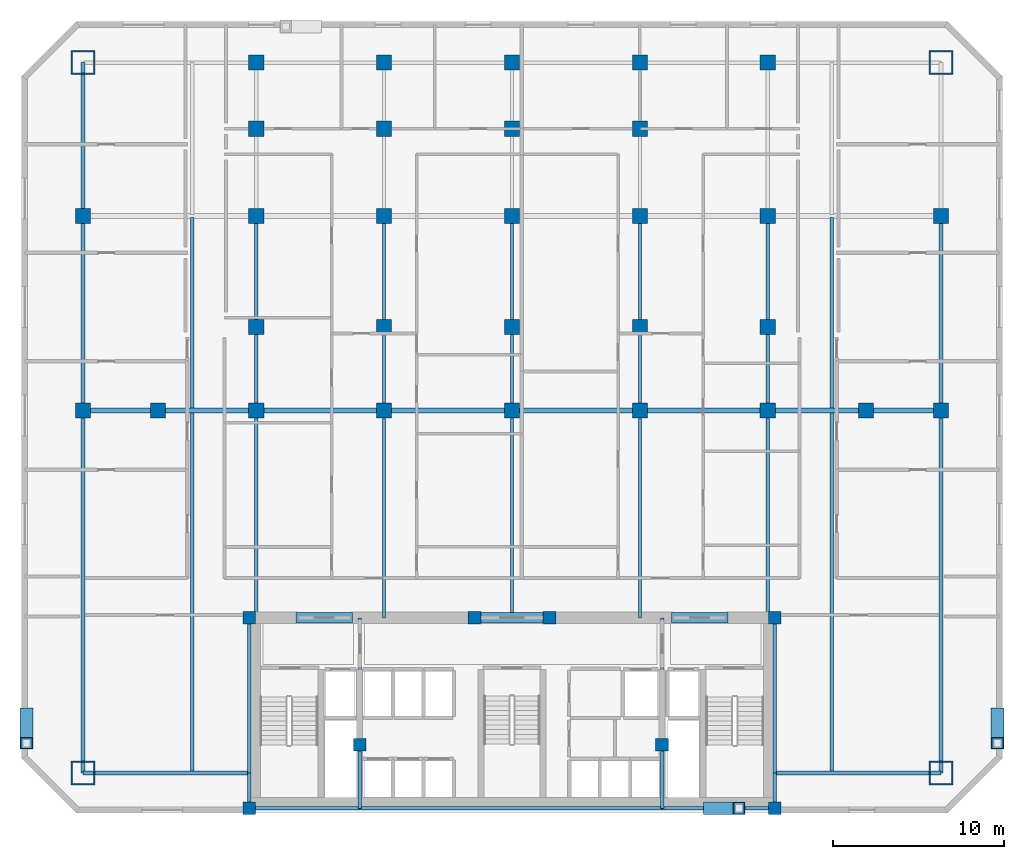
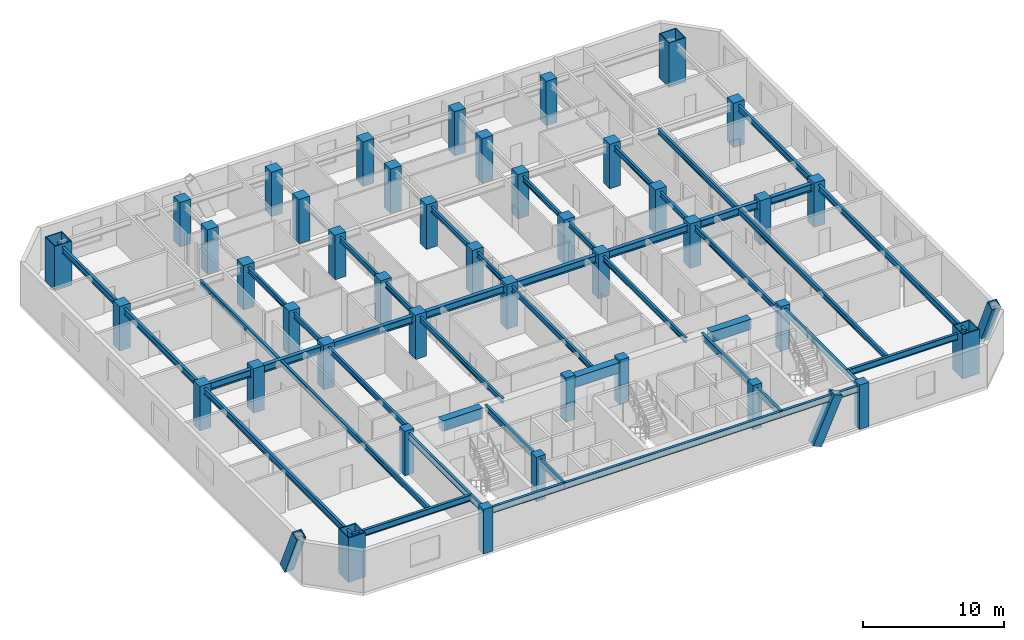
# One storey, part 1 of 9: 43 beams, 42 columns, 3 members.
"""IFC4 building model written with IfcOpenShell, lengths in metres."""

from ifc_helpers import new_model, si_unit, direction, frame, origin, origin_2d, place, context, subcontext, project, spatial, rectangle, hollow_rectangle, i_section, extrude, material, material_profile, profile_set, type_object, element, save


model = new_model("IFC4")

# Units and contexts
model_context = context("Model", 3, precision=1e-05, world=origin(), true_north=direction((0.0, 1.0)))
body_context = subcontext(model_context, "Body", "Model", "MODEL_VIEW")
ifc_project = project(units=[si_unit("LENGTHUNIT", "METRE"), si_unit("AREAUNIT", "SQUARE_METRE"), si_unit("VOLUMEUNIT", "CUBIC_METRE"), si_unit("PLANEANGLEUNIT", "RADIAN"), si_unit("MASSUNIT", "GRAM", prefix="KILO")], contexts=[model_context])

# Site, building, storey
site_placement = place(None, origin())
site = spatial("IfcSite", under=ifc_project, at=site_placement, CompositionType="ELEMENT")
building_placement = place(site_placement, origin())
building = spatial("IfcBuilding", under=site, at=building_placement, Name="Ventersveld Concourse Tower", CompositionType="ELEMENT")
storey_placement = place(building_placement, frame((0.0, 0.0, 84.89990234375)))
storey = spatial("IfcBuildingStorey", under=building, at=storey_placement, Name="L20", CompositionType="ELEMENT", Elevation=84.89990234375)

# Columns
ifc_material_1 = material(Name="Concrete C50/60", Category="concrete")
ifc_material_profile_1 = material_profile(ifc_material_1, rectangle(XDim=0.75, YDim=0.75, at=origin_2d()), Name="RC 750x750")
ifc_profile_set_1 = profile_set([ifc_material_profile_1], Name="Concrete C50/60")
column_type_1 = type_object("IfcColumnType", Name="COL-RC750", PredefinedType="COLUMN", material=ifc_profile_set_1)
for number, where, z_axis, x_axis, name in (
    (1, (13.35009765625, 0.280029296875, 0.0), (0.0, 0.0, 1.0), (1.0, 0.0, 0.0), "L20 Core Spine Column CC-SW"),
    (2, (44.14990234375, 0.280029296875, 0.0), (0.0, 0.0, 1.0), (1.0, 0.0, 0.0), "L20 Core Spine Column CC-SE"),
    (3, (13.35009765625, 11.449951171875, 0.0), (0.0, 0.0, 1.0), (1.0, 0.0, 0.0), "L20 Core Spine Column CC-NW"),
    (4, (44.14990234375, 11.449951171875, 0.0), (0.0, 0.0, 1.0), (1.0, 0.0, 0.0), "L20 Core Spine Column CC-NE"),
    (5, (19.820068359375, 4.0, 0.0), (0.0, 0.0, 1.0), (1.0, 0.0, 0.0), "L20 Core Spine Column CM-1"),
    (6, (37.550048828125, 4.0, 0.0), (0.0, 0.0, 1.0), (1.0, 0.0, 0.0), "L20 Core Spine Column CM-2"),
    (7, (26.550048828125, 11.449951171875, 0.0), (0.0, 0.0, 1.0), (1.0, 0.0, 0.0), "L20 Core Spine Column CM-3"),
    (8, (30.949951171875, 11.449951171875, 0.0), (0.0, 0.0, 1.0), (1.0, 0.0, 0.0), "L20 Core Spine Column CM-4"),
):
    element("IfcColumn", number, at=place(storey_placement, frame(where, z_axis=z_axis, x_axis=x_axis)), inside=storey, type_object=column_type_1, Name=name, PredefinedType="COLUMN", context=body_context, shape_type="SweptSolid", body=[
        extrude(rectangle(XDim=0.75, YDim=0.75, at=origin_2d()), origin(), (0.0, 0.0, 1.0), 3.85009765625),
    ])
ifc_material_2 = material(Name="Concrete C60/75", Category="concrete")
ifc_material_profile_2 = material_profile(ifc_material_2, rectangle(XDim=0.89990234375, YDim=0.89990234375, at=origin_2d()), Name="RC 900x900")
ifc_profile_set_2 = profile_set([ifc_material_profile_2], Name="Concrete C60/75")
column_type_2 = type_object("IfcColumnType", Name="COL-RC900", PredefinedType="COLUMN", material=ifc_profile_set_2)
for number, where, z_axis, x_axis, name in (
    (9, (3.60009765625, 23.60009765625, 0.0), (0.0, 0.0, 1.0), (1.0, 0.0, 0.0), "L20 Interior Gravity Column X=3.60 Y=23.60"),
    (10, (8.0, 23.60009765625, 0.0), (0.0, 0.0, 1.0), (1.0, 0.0, 0.0), "L20 Interior Gravity Column X=8.00 Y=23.60"),
    (11, (13.75, 23.60009765625, 0.0), (0.0, 0.0, 1.0), (1.0, 0.0, 0.0), "L20 Interior Gravity Column X=13.75 Y=23.60"),
    (12, (21.25, 23.60009765625, 0.0), (0.0, 0.0, 1.0), (1.0, 0.0, 0.0), "L20 Interior Gravity Column X=21.25 Y=23.60"),
    (13, (28.75, 23.60009765625, 0.0), (0.0, 0.0, 1.0), (1.0, 0.0, 0.0), "L20 Interior Gravity Column X=28.75 Y=23.60"),
    (14, (36.25, 23.60009765625, 0.0), (0.0, 0.0, 1.0), (1.0, 0.0, 0.0), "L20 Interior Gravity Column X=36.25 Y=23.60"),
    (15, (43.75, 23.60009765625, 0.0), (0.0, 0.0, 1.0), (1.0, 0.0, 0.0), "L20 Interior Gravity Column X=43.75 Y=23.60"),
    (16, (49.5, 23.60009765625, 0.0), (0.0, 0.0, 1.0), (1.0, 0.0, 0.0), "L20 Interior Gravity Column X=49.50 Y=23.60"),
    (17, (53.89990234375, 23.60009765625, 0.0), (0.0, 0.0, 1.0), (1.0, 0.0, 0.0), "L20 Interior Gravity Column X=53.90 Y=23.60"),
    (18, (13.75, 28.5, 0.0), (0.0, 0.0, 1.0), (1.0, 0.0, 0.0), "L20 Upper-North Gravity Column X=13.75 Y=28.50"),
    (19, (21.25, 28.5, 0.0), (0.0, 0.0, 1.0), (1.0, 0.0, 0.0), "L20 Upper-North Gravity Column X=21.25 Y=28.50"),
    (20, (28.75, 28.5, 0.0), (0.0, 0.0, 1.0), (1.0, 0.0, 0.0), "L20 Upper-North Gravity Column X=28.75 Y=28.50"),
    (21, (36.25, 28.5, 0.0), (0.0, 0.0, 1.0), (1.0, 0.0, 0.0), "L20 Upper-North Gravity Column X=36.25 Y=28.50"),
    (22, (43.75, 28.5, 0.0), (0.0, 0.0, 1.0), (1.0, 0.0, 0.0), "L20 Upper-North Gravity Column X=43.75 Y=28.50"),
    (23, (3.60009765625, 35.0, 0.0), (0.0, 0.0, 1.0), (1.0, 0.0, 0.0), "L20 Flank Column X=3.60 Y=35.00"),
    (24, (53.89990234375, 35.0, 0.0), (0.0, 0.0, 1.0), (1.0, 0.0, 0.0), "L20 Flank Column X=53.90 Y=35.00"),
    (25, (13.75, 44.0, 0.0), (0.0, 0.0, 1.0), (1.0, 0.0, 0.0), "L20 North Perimeter Column X=13.75 Y=44.00"),
    (26, (21.25, 44.0, 0.0), (0.0, 0.0, 1.0), (1.0, 0.0, 0.0), "L20 North Perimeter Column X=21.25 Y=44.00"),
    (27, (28.75, 44.0, 0.0), (0.0, 0.0, 1.0), (1.0, 0.0, 0.0), "L20 North Perimeter Column X=28.75 Y=44.00"),
    (28, (36.25, 44.0, 0.0), (0.0, 0.0, 1.0), (1.0, 0.0, 0.0), "L20 North Perimeter Column X=36.25 Y=44.00"),
    (29, (43.75, 44.0, 0.0), (0.0, 0.0, 1.0), (1.0, 0.0, 0.0), "L20 North Perimeter Column X=43.75 Y=44.00"),
    (30, (13.75, 40.1201171875, 0.0), (0.0, 0.0, 1.0), (1.0, 0.0, 0.0), "L20 North Brace Node Column X=13.75 Y=40.12"),
    (31, (21.25, 40.1201171875, 0.0), (0.0, 0.0, 1.0), (1.0, 0.0, 0.0), "L20 North Brace Node Column X=21.25 Y=40.12"),
    (32, (28.75, 40.1201171875, 0.0), (0.0, 0.0, 1.0), (1.0, 0.0, 0.0), "L20 North Brace Node Column X=28.75 Y=40.12"),
    (33, (36.25, 40.1201171875, 0.0), (0.0, 0.0, 1.0), (1.0, 0.0, 0.0), "L20 North Brace Node Column X=36.25 Y=40.12"),
    (34, (13.75, 35.0, 0.0), (0.0, 0.0, 1.0), (1.0, 0.0, 0.0), "L20 Mid-North Column X=13.75 Y=35.00"),
    (35, (21.25, 35.0, 0.0), (0.0, 0.0, 1.0), (1.0, 0.0, 0.0), "L20 Mid-North Column X=21.25 Y=35.00"),
    (36, (28.75, 35.0, 0.0), (0.0, 0.0, 1.0), (1.0, 0.0, 0.0), "L20 Mid-North Column X=28.75 Y=35.00"),
    (37, (36.25, 35.0, 0.0), (0.0, 0.0, 1.0), (1.0, 0.0, 0.0), "L20 Mid-North Column X=36.25 Y=35.00"),
    (38, (43.75, 35.0, 0.0), (0.0, 0.0, 1.0), (1.0, 0.0, 0.0), "L20 Mid-North Column X=43.75 Y=35.00"),
):
    element("IfcColumn", number, at=place(storey_placement, frame(where, z_axis=z_axis, x_axis=x_axis)), inside=storey, type_object=column_type_2, Name=name, PredefinedType="COLUMN", context=body_context, shape_type="SweptSolid", body=[
        extrude(rectangle(XDim=0.89990234375, YDim=0.89990234375, at=origin_2d()), origin(), (0.0, 0.0, 1.0), 3.85009765625),
    ])
ifc_material_3 = material(Name="Structural steel S460ML", Category="steel")
ifc_material_profile_3 = material_profile(ifc_material_3, hollow_rectangle(XDim=1.39990234375, YDim=1.39990234375, WallThickness=0.080078125, at=origin_2d()), Name="BOX 1400x1400x80")
ifc_profile_set_3 = profile_set([ifc_material_profile_3], Name="Structural steel S460ML")
column_type_3 = type_object("IfcColumnType", Name="MC-1400", PredefinedType="USERDEFINED", material=ifc_profile_set_3)
for number, where, z_axis, x_axis, name in (
    (39, (3.60009765625, 2.35009765625, 0.0), (0.0, 0.0, 1.0), (1.0, 0.0, 0.0), "L20 Corner Mega-Column MC-SW"),
    (40, (53.89990234375, 2.35009765625, 0.0), (0.0, 0.0, 1.0), (1.0, 0.0, 0.0), "L20 Corner Mega-Column MC-SE"),
    (41, (53.89990234375, 44.0, 0.0), (0.0, 0.0, 1.0), (1.0, 0.0, 0.0), "L20 Corner Mega-Column MC-NE"),
    (42, (3.60009765625, 44.0, 0.0), (0.0, 0.0, 1.0), (1.0, 0.0, 0.0), "L20 Corner Mega-Column MC-NW"),
):
    element("IfcColumn", number, at=place(storey_placement, frame(where, z_axis=z_axis, x_axis=x_axis)), inside=storey, type_object=column_type_3, Name=name, ObjectType="MEGA_COLUMN", PredefinedType="USERDEFINED", context=body_context, shape_type="SweptSolid", body=[
        extrude(hollow_rectangle(XDim=1.39990234375, YDim=1.39990234375, WallThickness=0.080078125, at=origin_2d()), origin(), (0.0, 0.0, 1.0), 3.85009765625),
    ])

# Beams
ifc_material_4 = material(Name="Structural steel S355J2", Category="steel")
ifc_material_profile_4 = material_profile(ifc_material_4, i_section(OverallWidth=0.19140625, OverallDepth=0.4599609375, WebThickness=0.010009765625, FlangeThickness=0.01611328125, FilletRadius=0.01025390625, at=origin_2d()), Name="UB 457x191x82")
ifc_profile_set_4 = profile_set([ifc_material_profile_4], Name="Structural steel S355J2")
beam_type_1 = type_object("IfcBeamType", Name="BM-UB457H", PredefinedType="BEAM", material=ifc_profile_set_4)
beam_1_placement = place(storey_placement, frame((10.0, 2.35009765625, 3.3701171875), z_axis=(0.0, 1.0, 0.0), x_axis=(-1.0, 0.0, 0.0)))
element("IfcBeam", 43, at=beam_1_placement, inside=storey, type_object=beam_type_1, Name="L20 N-S Composite Floor Beam South X=10.00", PredefinedType="BEAM", context=body_context, shape_type="SweptSolid", body=[
    extrude(i_section(OverallWidth=0.19140625, OverallDepth=0.4599609375, WebThickness=0.010009765625, FlangeThickness=0.01611328125, FilletRadius=0.01025390625, at=origin_2d()), origin(), (0.0, 0.0, 1.0), 21.15478515625),
])
beam_2_placement = place(storey_placement, frame((10.0, 23.695068359375, 3.3701171875), z_axis=(0.0, 1.0, 0.0), x_axis=(-1.0, 0.0, 0.0)))
element("IfcBeam", 44, at=beam_2_placement, inside=storey, type_object=beam_type_1, Name="L20 N-S Composite Floor Beam Mid X=10.00", PredefinedType="BEAM", context=body_context, shape_type="SweptSolid", body=[
    extrude(i_section(OverallWidth=0.19140625, OverallDepth=0.4599609375, WebThickness=0.010009765625, FlangeThickness=0.01611328125, FilletRadius=0.01025390625, at=origin_2d()), origin(), (0.0, 0.0, 1.0), 11.2099609375),
])
beam_3_placement = place(storey_placement, frame((13.75, 11.449951171875, 3.3701171875), z_axis=(0.0, 1.0, 0.0), x_axis=(-1.0, 0.0, 0.0)))
element("IfcBeam", 45, at=beam_3_placement, inside=storey, type_object=beam_type_1, Name="L20 N-S Composite Floor Beam South X=13.75", PredefinedType="BEAM", context=body_context, shape_type="SweptSolid", body=[
    extrude(i_section(OverallWidth=0.19140625, OverallDepth=0.4599609375, WebThickness=0.010009765625, FlangeThickness=0.01611328125, FilletRadius=0.01025390625, at=origin_2d()), origin(), (0.0, 0.0, 1.0), 12.150146484375),
])
beam_4_placement = place(storey_placement, frame((13.75, 23.60009765625, 3.3701171875), z_axis=(0.0, 1.0, 0.0), x_axis=(-1.0, 0.0, 0.0)))
element("IfcBeam", 46, at=beam_4_placement, inside=storey, type_object=beam_type_1, Name="L20 N-S Composite Floor Beam Mid X=13.75", PredefinedType="BEAM", context=body_context, shape_type="SweptSolid", body=[
    extrude(i_section(OverallWidth=0.19140625, OverallDepth=0.4599609375, WebThickness=0.010009765625, FlangeThickness=0.01611328125, FilletRadius=0.01025390625, at=origin_2d()), origin(), (0.0, 0.0, 1.0), 11.39990234375),
])
beam_5_placement = place(storey_placement, frame((21.25, 11.449951171875, 3.3701171875), z_axis=(0.0, 1.0, 0.0), x_axis=(-1.0, 0.0, 0.0)))
element("IfcBeam", 47, at=beam_5_placement, inside=storey, type_object=beam_type_1, Name="L20 N-S Composite Floor Beam South X=21.25", PredefinedType="BEAM", context=body_context, shape_type="SweptSolid", body=[
    extrude(i_section(OverallWidth=0.19140625, OverallDepth=0.4599609375, WebThickness=0.010009765625, FlangeThickness=0.01611328125, FilletRadius=0.01025390625, at=origin_2d()), origin(), (0.0, 0.0, 1.0), 12.150146484375),
])
beam_6_placement = place(storey_placement, frame((21.25, 23.60009765625, 3.3701171875), z_axis=(0.0, 1.0, 0.0), x_axis=(-1.0, 0.0, 0.0)))
element("IfcBeam", 48, at=beam_6_placement, inside=storey, type_object=beam_type_1, Name="L20 N-S Composite Floor Beam Mid X=21.25", PredefinedType="BEAM", context=body_context, shape_type="SweptSolid", body=[
    extrude(i_section(OverallWidth=0.19140625, OverallDepth=0.4599609375, WebThickness=0.010009765625, FlangeThickness=0.01611328125, FilletRadius=0.01025390625, at=origin_2d()), origin(), (0.0, 0.0, 1.0), 11.39990234375),
])
beam_7_placement = place(storey_placement, frame((28.75, 11.449951171875, 3.3701171875), z_axis=(0.0, 1.0, 0.0), x_axis=(-1.0, 0.0, 0.0)))
element("IfcBeam", 49, at=beam_7_placement, inside=storey, type_object=beam_type_1, Name="L20 N-S Composite Floor Beam South X=28.75", PredefinedType="BEAM", context=body_context, shape_type="SweptSolid", body=[
    extrude(i_section(OverallWidth=0.19140625, OverallDepth=0.4599609375, WebThickness=0.010009765625, FlangeThickness=0.01611328125, FilletRadius=0.01025390625, at=origin_2d()), origin(), (0.0, 0.0, 1.0), 12.150146484375),
])
beam_8_placement = place(storey_placement, frame((28.75, 23.60009765625, 3.3701171875), z_axis=(0.0, 1.0, 0.0), x_axis=(-1.0, 0.0, 0.0)))
element("IfcBeam", 50, at=beam_8_placement, inside=storey, type_object=beam_type_1, Name="L20 N-S Composite Floor Beam Mid X=28.75", PredefinedType="BEAM", context=body_context, shape_type="SweptSolid", body=[
    extrude(i_section(OverallWidth=0.19140625, OverallDepth=0.4599609375, WebThickness=0.010009765625, FlangeThickness=0.01611328125, FilletRadius=0.01025390625, at=origin_2d()), origin(), (0.0, 0.0, 1.0), 11.39990234375),
])
beam_9_placement = place(storey_placement, frame((36.25, 11.449951171875, 3.3701171875), z_axis=(0.0, 1.0, 0.0), x_axis=(-1.0, 0.0, 0.0)))
element("IfcBeam", 51, at=beam_9_placement, inside=storey, type_object=beam_type_1, Name="L20 N-S Composite Floor Beam South X=36.25", PredefinedType="BEAM", context=body_context, shape_type="SweptSolid", body=[
    extrude(i_section(OverallWidth=0.19140625, OverallDepth=0.4599609375, WebThickness=0.010009765625, FlangeThickness=0.01611328125, FilletRadius=0.01025390625, at=origin_2d()), origin(), (0.0, 0.0, 1.0), 12.150146484375),
])
beam_10_placement = place(storey_placement, frame((36.25, 23.60009765625, 3.3701171875), z_axis=(0.0, 1.0, 0.0), x_axis=(-1.0, 0.0, 0.0)))
element("IfcBeam", 52, at=beam_10_placement, inside=storey, type_object=beam_type_1, Name="L20 N-S Composite Floor Beam Mid X=36.25", PredefinedType="BEAM", context=body_context, shape_type="SweptSolid", body=[
    extrude(i_section(OverallWidth=0.19140625, OverallDepth=0.4599609375, WebThickness=0.010009765625, FlangeThickness=0.01611328125, FilletRadius=0.01025390625, at=origin_2d()), origin(), (0.0, 0.0, 1.0), 11.39990234375),
])
beam_11_placement = place(storey_placement, frame((43.75, 11.449951171875, 3.3701171875), z_axis=(0.0, 1.0, 0.0), x_axis=(-1.0, 0.0, 0.0)))
element("IfcBeam", 53, at=beam_11_placement, inside=storey, type_object=beam_type_1, Name="L20 N-S Composite Floor Beam South X=43.75", PredefinedType="BEAM", context=body_context, shape_type="SweptSolid", body=[
    extrude(i_section(OverallWidth=0.19140625, OverallDepth=0.4599609375, WebThickness=0.010009765625, FlangeThickness=0.01611328125, FilletRadius=0.01025390625, at=origin_2d()), origin(), (0.0, 0.0, 1.0), 12.150146484375),
])
beam_12_placement = place(storey_placement, frame((43.75, 23.60009765625, 3.3701171875), z_axis=(0.0, 1.0, 0.0), x_axis=(-1.0, 0.0, 0.0)))
element("IfcBeam", 54, at=beam_12_placement, inside=storey, type_object=beam_type_1, Name="L20 N-S Composite Floor Beam Mid X=43.75", PredefinedType="BEAM", context=body_context, shape_type="SweptSolid", body=[
    extrude(i_section(OverallWidth=0.19140625, OverallDepth=0.4599609375, WebThickness=0.010009765625, FlangeThickness=0.01611328125, FilletRadius=0.01025390625, at=origin_2d()), origin(), (0.0, 0.0, 1.0), 11.39990234375),
])
beam_13_placement = place(storey_placement, frame((47.5, 2.35009765625, 3.3701171875), z_axis=(0.0, 1.0, 0.0), x_axis=(-1.0, 0.0, 0.0)))
element("IfcBeam", 55, at=beam_13_placement, inside=storey, type_object=beam_type_1, Name="L20 N-S Composite Floor Beam South X=47.50", PredefinedType="BEAM", context=body_context, shape_type="SweptSolid", body=[
    extrude(i_section(OverallWidth=0.19140625, OverallDepth=0.4599609375, WebThickness=0.010009765625, FlangeThickness=0.01611328125, FilletRadius=0.01025390625, at=origin_2d()), origin(), (0.0, 0.0, 1.0), 21.15478515625),
])
beam_14_placement = place(storey_placement, frame((47.5, 23.695068359375, 3.3701171875), z_axis=(0.0, 1.0, 0.0), x_axis=(-1.0, 0.0, 0.0)))
element("IfcBeam", 56, at=beam_14_placement, inside=storey, type_object=beam_type_1, Name="L20 N-S Composite Floor Beam Mid X=47.50", PredefinedType="BEAM", context=body_context, shape_type="SweptSolid", body=[
    extrude(i_section(OverallWidth=0.19140625, OverallDepth=0.4599609375, WebThickness=0.010009765625, FlangeThickness=0.01611328125, FilletRadius=0.01025390625, at=origin_2d()), origin(), (0.0, 0.0, 1.0), 11.2099609375),
])
ifc_material_profile_5 = material_profile(ifc_material_2, rectangle(XDim=0.60009765625, YDim=0.89990234375, at=origin_2d()), Name="RC 600x900")
ifc_profile_set_5 = profile_set([ifc_material_profile_5], Name="Concrete C60/75")
beam_type_2 = type_object("IfcBeamType", Name="CB-RC600x900L", PredefinedType="LINTEL", material=ifc_profile_set_5)
beam_15_placement = place(storey_placement, frame((16.10009765625, 11.449951171875, 3.150146484375), z_axis=(1.0, 0.0, 0.0), x_axis=(0.0, 1.0, 0.0)))
element("IfcBeam", 57, at=beam_15_placement, inside=storey, type_object=beam_type_2, Name="L20 Core Coupling Lintel Beam 1", PredefinedType="LINTEL", context=body_context, shape_type="SweptSolid", body=[
    extrude(rectangle(XDim=0.60009765625, YDim=0.89990234375, at=origin_2d()), origin(), (0.0, 0.0, 1.0), 3.2998046875),
])
beam_16_placement = place(storey_placement, frame((26.5, 11.449951171875, 3.150146484375), z_axis=(1.0, 0.0, 0.0), x_axis=(0.0, 1.0, 0.0)))
element("IfcBeam", 58, at=beam_16_placement, inside=storey, type_object=beam_type_2, Name="L20 Core Coupling Lintel Beam 2", PredefinedType="LINTEL", context=body_context, shape_type="SweptSolid", body=[
    extrude(rectangle(XDim=0.60009765625, YDim=0.89990234375, at=origin_2d()), origin(), (0.0, 0.0, 1.0), 4.5),
])
beam_17_placement = place(storey_placement, frame((38.10009765625, 11.449951171875, 3.150146484375), z_axis=(1.0, 0.0, 0.0), x_axis=(0.0, 1.0, 0.0)))
element("IfcBeam", 59, at=beam_17_placement, inside=storey, type_object=beam_type_2, Name="L20 Core Coupling Lintel Beam 3", PredefinedType="LINTEL", context=body_context, shape_type="SweptSolid", body=[
    extrude(rectangle(XDim=0.60009765625, YDim=0.89990234375, at=origin_2d()), origin(), (0.0, 0.0, 1.0), 3.2998046875),
])
ifc_material_profile_6 = material_profile(ifc_material_4, i_section(OverallWidth=0.2119140625, OverallDepth=0.54443359375, WebThickness=0.0126953125, FlangeThickness=0.021240234375, FilletRadius=0.0126953125, at=origin_2d()), Name="UB 533x210x122")
ifc_profile_set_6 = profile_set([ifc_material_profile_6], Name="Structural steel S355J2")
beam_type_3 = type_object("IfcBeamType", Name="GRD-UB533H", PredefinedType="T_BEAM", material=ifc_profile_set_6)
beam_18_placement = place(storey_placement, frame((13.35009765625, 0.280029296875, 3.327880859375), z_axis=(0.0, 1.0, 0.0), x_axis=(-1.0, 0.0, 0.0)))
element("IfcBeam", 60, at=beam_18_placement, inside=storey, type_object=beam_type_3, Name="L20 Core West Tie Beam S", PredefinedType="T_BEAM", context=body_context, shape_type="SweptSolid", body=[
    extrude(i_section(OverallWidth=0.2119140625, OverallDepth=0.54443359375, WebThickness=0.0126953125, FlangeThickness=0.021240234375, FilletRadius=0.0126953125, at=origin_2d()), origin(), (0.0, 0.0, 1.0), 2.070068359375),
])
beam_19_placement = place(storey_placement, frame((13.35009765625, 2.35009765625, 3.327880859375), z_axis=(0.0, 1.0, 0.0), x_axis=(-1.0, 0.0, 0.0)))
element("IfcBeam", 61, at=beam_19_placement, inside=storey, type_object=beam_type_3, Name="L20 Core West Tie Beam N", PredefinedType="T_BEAM", context=body_context, shape_type="SweptSolid", body=[
    extrude(i_section(OverallWidth=0.2119140625, OverallDepth=0.54443359375, WebThickness=0.0126953125, FlangeThickness=0.021240234375, FilletRadius=0.0126953125, at=origin_2d()), origin(), (0.0, 0.0, 1.0), 9.099853515625),
])
beam_20_placement = place(storey_placement, frame((44.14990234375, 0.280029296875, 3.327880859375), z_axis=(0.0, 1.0, 0.0), x_axis=(-1.0, 0.0, 0.0)))
element("IfcBeam", 62, at=beam_20_placement, inside=storey, type_object=beam_type_3, Name="L20 Core East Tie Beam S", PredefinedType="T_BEAM", context=body_context, shape_type="SweptSolid", body=[
    extrude(i_section(OverallWidth=0.2119140625, OverallDepth=0.54443359375, WebThickness=0.0126953125, FlangeThickness=0.021240234375, FilletRadius=0.0126953125, at=origin_2d()), origin(), (0.0, 0.0, 1.0), 2.070068359375),
])
beam_21_placement = place(storey_placement, frame((44.14990234375, 2.35009765625, 3.327880859375), z_axis=(0.0, 1.0, 0.0), x_axis=(-1.0, 0.0, 0.0)))
element("IfcBeam", 63, at=beam_21_placement, inside=storey, type_object=beam_type_3, Name="L20 Core East Tie Beam N", PredefinedType="T_BEAM", context=body_context, shape_type="SweptSolid", body=[
    extrude(i_section(OverallWidth=0.2119140625, OverallDepth=0.54443359375, WebThickness=0.0126953125, FlangeThickness=0.021240234375, FilletRadius=0.0126953125, at=origin_2d()), origin(), (0.0, 0.0, 1.0), 9.099853515625),
])
beam_22_placement = place(storey_placement, frame((13.35009765625, 0.280029296875, 3.327880859375), z_axis=(1.0, 0.0, 0.0), x_axis=(0.0, 1.0, 0.0)))
element("IfcBeam", 64, at=beam_22_placement, inside=storey, type_object=beam_type_3, Name="L20 Core South Tie Beam W", PredefinedType="T_BEAM", context=body_context, shape_type="SweptSolid", body=[
    extrude(i_section(OverallWidth=0.2119140625, OverallDepth=0.54443359375, WebThickness=0.0126953125, FlangeThickness=0.021240234375, FilletRadius=0.0126953125, at=origin_2d()), origin(), (0.0, 0.0, 1.0), 6.469970703125),
])
beam_23_placement = place(storey_placement, frame((19.820068359375, 0.280029296875, 3.327880859375), z_axis=(1.0, 0.0, 0.0), x_axis=(0.0, 1.0, 0.0)))
element("IfcBeam", 65, at=beam_23_placement, inside=storey, type_object=beam_type_3, Name="L20 Core South Tie Beam C", PredefinedType="T_BEAM", context=body_context, shape_type="SweptSolid", body=[
    extrude(i_section(OverallWidth=0.2119140625, OverallDepth=0.54443359375, WebThickness=0.0126953125, FlangeThickness=0.021240234375, FilletRadius=0.0126953125, at=origin_2d()), origin(), (0.0, 0.0, 1.0), 17.72998046875),
])
beam_24_placement = place(storey_placement, frame((37.550048828125, 0.280029296875, 3.327880859375), z_axis=(1.0, 0.0, 0.0), x_axis=(0.0, 1.0, 0.0)))
element("IfcBeam", 66, at=beam_24_placement, inside=storey, type_object=beam_type_3, Name="L20 Core South Tie Beam E", PredefinedType="T_BEAM", context=body_context, shape_type="SweptSolid", body=[
    extrude(i_section(OverallWidth=0.2119140625, OverallDepth=0.54443359375, WebThickness=0.0126953125, FlangeThickness=0.021240234375, FilletRadius=0.0126953125, at=origin_2d()), origin(), (0.0, 0.0, 1.0), 6.599853515625),
])
beam_25_placement = place(storey_placement, frame((19.820068359375, 0.280029296875, 3.327880859375), z_axis=(0.0, 1.0, 0.0), x_axis=(-1.0, 0.0, 0.0)))
element("IfcBeam", 67, at=beam_25_placement, inside=storey, type_object=beam_type_3, Name="L20 Core Spine N-S Tie Beam W1", PredefinedType="T_BEAM", context=body_context, shape_type="SweptSolid", body=[
    extrude(i_section(OverallWidth=0.2119140625, OverallDepth=0.54443359375, WebThickness=0.0126953125, FlangeThickness=0.021240234375, FilletRadius=0.0126953125, at=origin_2d()), origin(), (0.0, 0.0, 1.0), 3.719970703125),
])
beam_26_placement = place(storey_placement, frame((19.820068359375, 4.0, 3.327880859375), z_axis=(0.0, 1.0, 0.0), x_axis=(-1.0, 0.0, 0.0)))
element("IfcBeam", 68, at=beam_26_placement, inside=storey, type_object=beam_type_3, Name="L20 Core Spine N-S Tie Beam W2", PredefinedType="T_BEAM", context=body_context, shape_type="SweptSolid", body=[
    extrude(i_section(OverallWidth=0.2119140625, OverallDepth=0.54443359375, WebThickness=0.0126953125, FlangeThickness=0.021240234375, FilletRadius=0.0126953125, at=origin_2d()), origin(), (0.0, 0.0, 1.0), 7.449951171875),
])
beam_27_placement = place(storey_placement, frame((37.550048828125, 0.280029296875, 3.327880859375), z_axis=(0.0, 1.0, 0.0), x_axis=(-1.0, 0.0, 0.0)))
element("IfcBeam", 69, at=beam_27_placement, inside=storey, type_object=beam_type_3, Name="L20 Core Spine N-S Tie Beam E1", PredefinedType="T_BEAM", context=body_context, shape_type="SweptSolid", body=[
    extrude(i_section(OverallWidth=0.2119140625, OverallDepth=0.54443359375, WebThickness=0.0126953125, FlangeThickness=0.021240234375, FilletRadius=0.0126953125, at=origin_2d()), origin(), (0.0, 0.0, 1.0), 3.719970703125),
])
beam_28_placement = place(storey_placement, frame((37.550048828125, 4.0, 3.327880859375), z_axis=(0.0, 1.0, 0.0), x_axis=(-1.0, 0.0, 0.0)))
element("IfcBeam", 70, at=beam_28_placement, inside=storey, type_object=beam_type_3, Name="L20 Core Spine N-S Tie Beam E2", PredefinedType="T_BEAM", context=body_context, shape_type="SweptSolid", body=[
    extrude(i_section(OverallWidth=0.2119140625, OverallDepth=0.54443359375, WebThickness=0.0126953125, FlangeThickness=0.021240234375, FilletRadius=0.0126953125, at=origin_2d()), origin(), (0.0, 0.0, 1.0), 7.449951171875),
])
ifc_material_profile_7 = material_profile(ifc_material_4, i_section(OverallWidth=0.311279296875, OverallDepth=0.6357421875, WebThickness=0.018310546875, FlangeThickness=0.031494140625, FilletRadius=0.0166015625, at=origin_2d()), Name="UB 610x305x238")
ifc_profile_set_7 = profile_set([ifc_material_profile_7], Name="Structural steel S355J2")
beam_type_4 = type_object("IfcBeamType", Name="GRD-UB610H", PredefinedType="USERDEFINED", material=ifc_profile_set_7)
beam_29_placement = place(storey_placement, frame((3.60009765625, 23.60009765625, 3.2822265625), z_axis=(1.0, 0.0, 0.0), x_axis=(0.0, 1.0, 0.0)))
element("IfcBeam", 71, at=beam_29_placement, inside=storey, type_object=beam_type_4, Name="L20 Primary E-W Grid Girder Y=23.60 #1", ObjectType="GIRDER", PredefinedType="USERDEFINED", context=body_context, shape_type="SweptSolid", body=[
    extrude(i_section(OverallWidth=0.311279296875, OverallDepth=0.6357421875, WebThickness=0.018310546875, FlangeThickness=0.031494140625, FilletRadius=0.0166015625, at=origin_2d()), origin(), (0.0, 0.0, 1.0), 4.39990234375),
])
beam_30_placement = place(storey_placement, frame((8.0, 23.60009765625, 3.2822265625), z_axis=(1.0, 0.0, 0.0), x_axis=(0.0, 1.0, 0.0)))
element("IfcBeam", 72, at=beam_30_placement, inside=storey, type_object=beam_type_4, Name="L20 Primary E-W Grid Girder Y=23.60 #2", ObjectType="GIRDER", PredefinedType="USERDEFINED", context=body_context, shape_type="SweptSolid", body=[
    extrude(i_section(OverallWidth=0.311279296875, OverallDepth=0.6357421875, WebThickness=0.018310546875, FlangeThickness=0.031494140625, FilletRadius=0.0166015625, at=origin_2d()), origin(), (0.0, 0.0, 1.0), 5.75),
])
for number, where, z_axis, x_axis, name in (
    (73, (13.75, 23.60009765625, 3.2822265625), (1.0, 0.0, 0.0), (0.0, 1.0, 0.0), "L20 Primary E-W Grid Girder Y=23.60 #3"),
    (74, (21.25, 23.60009765625, 3.2822265625), (1.0, 0.0, 0.0), (0.0, 1.0, 0.0), "L20 Primary E-W Grid Girder Y=23.60 #4"),
    (75, (28.75, 23.60009765625, 3.2822265625), (1.0, 0.0, 0.0), (0.0, 1.0, 0.0), "L20 Primary E-W Grid Girder Y=23.60 #5"),
    (76, (36.25, 23.60009765625, 3.2822265625), (1.0, 0.0, 0.0), (0.0, 1.0, 0.0), "L20 Primary E-W Grid Girder Y=23.60 #6"),
):
    element("IfcBeam", number, at=place(storey_placement, frame(where, z_axis=z_axis, x_axis=x_axis)), inside=storey, type_object=beam_type_4, Name=name, ObjectType="GIRDER", PredefinedType="USERDEFINED", context=body_context, shape_type="SweptSolid", body=[
        extrude(i_section(OverallWidth=0.311279296875, OverallDepth=0.6357421875, WebThickness=0.018310546875, FlangeThickness=0.031494140625, FilletRadius=0.0166015625, at=origin_2d()), origin(), (0.0, 0.0, 1.0), 7.5),
    ])
beam_31_placement = place(storey_placement, frame((43.75, 23.60009765625, 3.2822265625), z_axis=(1.0, 0.0, 0.0), x_axis=(0.0, 1.0, 0.0)))
element("IfcBeam", 77, at=beam_31_placement, inside=storey, type_object=beam_type_4, Name="L20 Primary E-W Grid Girder Y=23.60 #7", ObjectType="GIRDER", PredefinedType="USERDEFINED", context=body_context, shape_type="SweptSolid", body=[
    extrude(i_section(OverallWidth=0.311279296875, OverallDepth=0.6357421875, WebThickness=0.018310546875, FlangeThickness=0.031494140625, FilletRadius=0.0166015625, at=origin_2d()), origin(), (0.0, 0.0, 1.0), 5.75),
])
beam_32_placement = place(storey_placement, frame((49.5, 23.60009765625, 3.2822265625), z_axis=(1.0, 0.0, 0.0), x_axis=(0.0, 1.0, 0.0)))
element("IfcBeam", 78, at=beam_32_placement, inside=storey, type_object=beam_type_4, Name="L20 Primary E-W Grid Girder Y=23.60 #8", ObjectType="GIRDER", PredefinedType="USERDEFINED", context=body_context, shape_type="SweptSolid", body=[
    extrude(i_section(OverallWidth=0.311279296875, OverallDepth=0.6357421875, WebThickness=0.018310546875, FlangeThickness=0.031494140625, FilletRadius=0.0166015625, at=origin_2d()), origin(), (0.0, 0.0, 1.0), 4.39990234375),
])

# Members
ifc_material_5 = material(Name="Structural steel S355ML", Category="steel")
ifc_material_profile_8 = material_profile(ifc_material_5, hollow_rectangle(XDim=0.75, YDim=0.75, WallThickness=0.044921875, at=origin_2d()), Name="BOX 750x750x45")
ifc_profile_set_8 = profile_set([ifc_material_profile_8], Name="Structural steel S355ML")
member_type = type_object("IfcMemberType", Name="MB-750x750", PredefinedType="BRACE", material=ifc_profile_set_8)
member_placement = place(storey_placement, frame((40.321044921875, 0.280029296875, -0.25), z_axis=(0.411733807219, 0.0, 0.911304159978), x_axis=(0.0, 1.0, 0.0)))
element("IfcMember", 79, at=member_placement, inside=storey, type_object=member_type, Name="L20 Exterior Mega-Brace S (Module M04)", PredefinedType="BRACE", context=body_context, shape_type="SweptSolid", body=[
    extrude(hollow_rectangle(XDim=0.75, YDim=0.75, WallThickness=0.044921875, at=origin_2d()), origin(), (0.0, 0.0, 1.0), 4.224853515625),
])
for number, where, z_axis, x_axis, name in (
    (80, (0.280029296875, 5.828857421875, -0.25), (0.0, -0.411685814665, 0.911325841839), (1.0, 0.0, 0.0), "L20 Exterior Mega-Brace W (Module M04)"),
    (81, (57.219970703125, 5.828857421875, -0.25), (0.0, -0.411685814665, 0.911325841839), (1.0, 0.0, 0.0), "L20 Exterior Mega-Brace E (Module M04)"),
):
    element("IfcMember", number, at=place(storey_placement, frame(where, z_axis=z_axis, x_axis=x_axis)), inside=storey, type_object=member_type, Name=name, PredefinedType="BRACE", context=body_context, shape_type="SweptSolid", body=[
        extrude(hollow_rectangle(XDim=0.75, YDim=0.75, WallThickness=0.044921875, at=origin_2d()), origin(), (0.0, 0.0, 1.0), 4.224609375),
    ])

# Beams
ifc_material_profile_9 = material_profile(ifc_material_4, i_section(OverallWidth=0.2119140625, OverallDepth=0.54443359375, WebThickness=0.0126953125, FlangeThickness=0.021240234375, FilletRadius=0.0126953125, at=origin_2d()), Name="UB 533x210x122")
ifc_profile_set_9 = profile_set([ifc_material_profile_9], Name="Structural steel S355J2")
beam_type_5 = type_object("IfcBeamType", Name="SPD-UB533", PredefinedType="SPANDREL", material=ifc_profile_set_9)
for number, where, z_axis, x_axis, name in (
    (82, (3.60009765625, 2.35009765625, 3.327880859375), (1.0, 0.0, 0.0), (0.0, 1.0, 0.0), "L20 SW Spandrel Beam"),
    (83, (44.14990234375, 2.35009765625, 3.327880859375), (1.0, 0.0, 0.0), (0.0, 1.0, 0.0), "L20 SE Spandrel Beam"),
):
    element("IfcBeam", number, at=place(storey_placement, frame(where, z_axis=z_axis, x_axis=x_axis)), inside=storey, type_object=beam_type_5, Name=name, PredefinedType="SPANDREL", context=body_context, shape_type="SweptSolid", body=[
        extrude(i_section(OverallWidth=0.2119140625, OverallDepth=0.54443359375, WebThickness=0.0126953125, FlangeThickness=0.021240234375, FilletRadius=0.0126953125, at=origin_2d()), origin(), (0.0, 0.0, 1.0), 9.75),
    ])
beam_33_placement = place(storey_placement, frame((3.60009765625, 2.35009765625, 3.327880859375), z_axis=(0.0, 1.0, 0.0), x_axis=(-1.0, 0.0, 0.0)))
element("IfcBeam", 84, at=beam_33_placement, inside=storey, type_object=beam_type_5, Name="L20 West Spandrel Beam S", PredefinedType="SPANDREL", context=body_context, shape_type="SweptSolid", body=[
    extrude(i_section(OverallWidth=0.2119140625, OverallDepth=0.54443359375, WebThickness=0.0126953125, FlangeThickness=0.021240234375, FilletRadius=0.0126953125, at=origin_2d()), origin(), (0.0, 0.0, 1.0), 21.25),
])
beam_34_placement = place(storey_placement, frame((3.60009765625, 23.60009765625, 3.327880859375), z_axis=(0.0, 1.0, 0.0), x_axis=(-1.0, 0.0, 0.0)))
element("IfcBeam", 85, at=beam_34_placement, inside=storey, type_object=beam_type_5, Name="L20 West Spandrel Beam M", PredefinedType="SPANDREL", context=body_context, shape_type="SweptSolid", body=[
    extrude(i_section(OverallWidth=0.2119140625, OverallDepth=0.54443359375, WebThickness=0.0126953125, FlangeThickness=0.021240234375, FilletRadius=0.0126953125, at=origin_2d()), origin(), (0.0, 0.0, 1.0), 11.39990234375),
])
beam_35_placement = place(storey_placement, frame((3.60009765625, 35.0, 3.327880859375), z_axis=(0.0, 1.0, 0.0), x_axis=(-1.0, 0.0, 0.0)))
element("IfcBeam", 86, at=beam_35_placement, inside=storey, type_object=beam_type_5, Name="L20 West Spandrel Beam N", PredefinedType="SPANDREL", context=body_context, shape_type="SweptSolid", body=[
    extrude(i_section(OverallWidth=0.2119140625, OverallDepth=0.54443359375, WebThickness=0.0126953125, FlangeThickness=0.021240234375, FilletRadius=0.0126953125, at=origin_2d()), origin(), (0.0, 0.0, 1.0), 9.0),
])
beam_36_placement = place(storey_placement, frame((53.89990234375, 2.35009765625, 3.327880859375), z_axis=(0.0, 1.0, 0.0), x_axis=(-1.0, 0.0, 0.0)))
element("IfcBeam", 87, at=beam_36_placement, inside=storey, type_object=beam_type_5, Name="L20 East Spandrel Beam S", PredefinedType="SPANDREL", context=body_context, shape_type="SweptSolid", body=[
    extrude(i_section(OverallWidth=0.2119140625, OverallDepth=0.54443359375, WebThickness=0.0126953125, FlangeThickness=0.021240234375, FilletRadius=0.0126953125, at=origin_2d()), origin(), (0.0, 0.0, 1.0), 21.25),
])
beam_37_placement = place(storey_placement, frame((53.89990234375, 23.60009765625, 3.327880859375), z_axis=(0.0, 1.0, 0.0), x_axis=(-1.0, 0.0, 0.0)))
element("IfcBeam", 88, at=beam_37_placement, inside=storey, type_object=beam_type_5, Name="L20 East Spandrel Beam M", PredefinedType="SPANDREL", context=body_context, shape_type="SweptSolid", body=[
    extrude(i_section(OverallWidth=0.2119140625, OverallDepth=0.54443359375, WebThickness=0.0126953125, FlangeThickness=0.021240234375, FilletRadius=0.0126953125, at=origin_2d()), origin(), (0.0, 0.0, 1.0), 11.39990234375),
])

save(model, "model.ifc")
